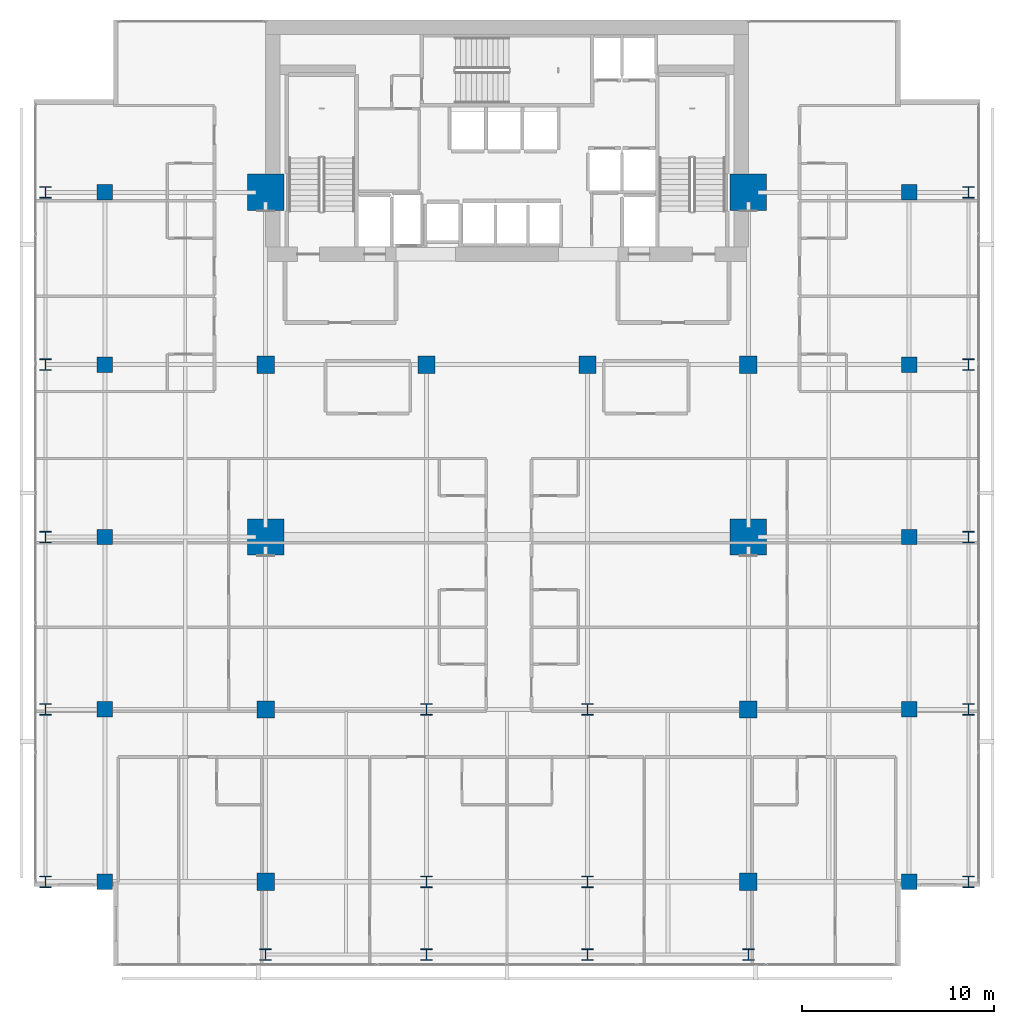
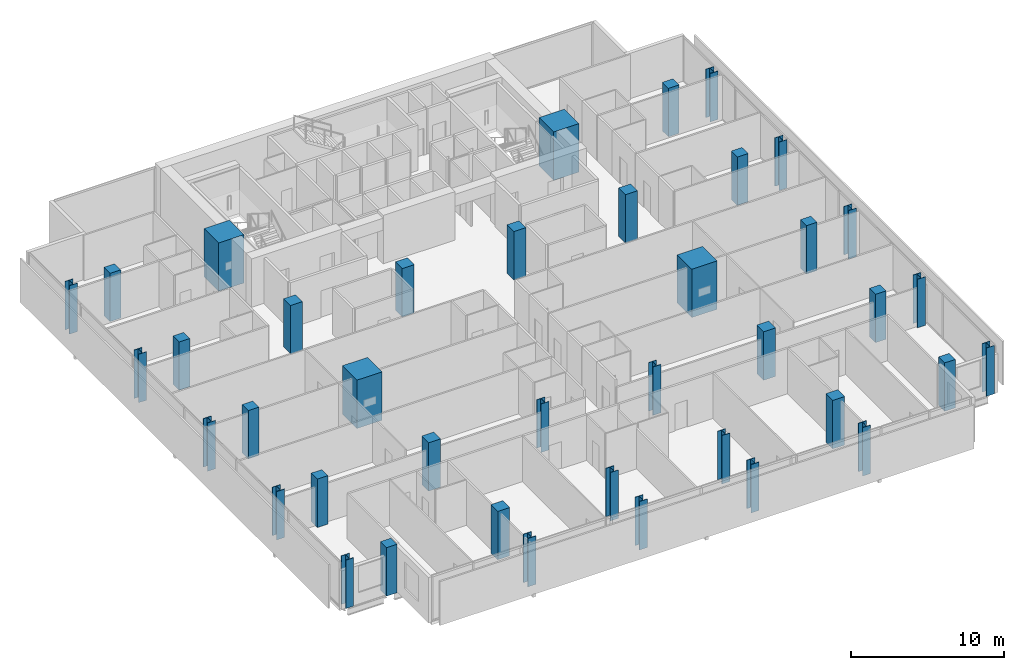
# One storey, part 1 of 34: 40 columns.
"""IFC4 building model written with IfcOpenShell, lengths in metres."""

from ifc_helpers import new_model, si_unit, direction, frame, origin, origin_2d, place, context, subcontext, project, spatial, rectangle, i_section, extrude, material, material_profile, profile_set, type_object, element, save


model = new_model("IFC4")

# Units and contexts
model_context = context("Model", 3, precision=1e-05, world=origin(), true_north=direction((0.0, 1.0)))
body_context = subcontext(model_context, "Body", "Model", "MODEL_VIEW")
ifc_project = project(units=[si_unit("LENGTHUNIT", "METRE"), si_unit("AREAUNIT", "SQUARE_METRE"), si_unit("VOLUMEUNIT", "CUBIC_METRE"), si_unit("PLANEANGLEUNIT", "RADIAN"), si_unit("MASSUNIT", "GRAM", prefix="KILO")], contexts=[model_context])

# Site, building, storey
site_placement = place(None, origin())
site = spatial("IfcSite", under=ifc_project, at=site_placement, CompositionType="ELEMENT")
building_placement = place(site_placement, origin())
building = spatial("IfcBuilding", under=site, at=building_placement, Name="Maruvema Waterfront Hotel and Observation Tower", CompositionType="ELEMENT")
storey_placement = place(building_placement, frame((0.0, 0.0, 212.10009765625)))
storey = spatial("IfcBuildingStorey", under=building, at=storey_placement, Name="L52", CompositionType="ELEMENT", Elevation=212.10009765625)

# Columns
ifc_material_1 = material(Name="Concrete C80/95", Category="concrete")
ifc_material_profile_1 = material_profile(ifc_material_1, rectangle(XDim=1.89990234375, YDim=1.89990234375, at=origin_2d()), Name="MC1900x1900")
ifc_profile_set_1 = profile_set([ifc_material_profile_1], Name="Concrete C80/95")
column_type_1 = type_object("IfcColumnType", Name="Continuous Mega-Column MC1900x1900", PredefinedType="COLUMN", material=ifc_profile_set_1)
for number, where, z_axis, x_axis, name in (
    (1, (25.199951171875, 27.0, 0.0), (0.0, 0.0, 1.0), (1.0, 0.0, 0.0), "L52 Continuous Mega-Column MC-01"),
    (2, (50.39990234375, 27.0, 0.0), (0.0, 0.0, 1.0), (1.0, 0.0, 0.0), "L52 Continuous Mega-Column MC-02"),
    (3, (25.199951171875, 45.0, 0.0), (0.0, 0.0, 1.0), (1.0, 0.0, 0.0), "L52 Continuous Mega-Column MC-03"),
    (4, (50.39990234375, 45.0, 0.0), (0.0, 0.0, 1.0), (1.0, 0.0, 0.0), "L52 Continuous Mega-Column MC-04"),
):
    element("IfcColumn", number, at=place(storey_placement, frame(where, z_axis=z_axis, x_axis=x_axis)), inside=storey, type_object=column_type_1, Name=name, PredefinedType="COLUMN", context=body_context, shape_type="SweptSolid", body=[
        extrude(rectangle(XDim=1.89990234375, YDim=1.89990234375, at=origin_2d()), origin(), (0.0, 0.0, 1.0), 3.849853515625),
    ])
ifc_material_2 = material(Name="Concrete C60/75", Category="concrete")
ifc_material_profile_2 = material_profile(ifc_material_2, rectangle(XDim=0.800048828125, YDim=0.800048828125, at=origin_2d()), Name="RC800x800")
ifc_profile_set_2 = profile_set([ifc_material_profile_2], Name="Concrete C60/75")
column_type_2 = type_object("IfcColumnType", Name="Reinforced Concrete Column RC800x800", PredefinedType="COLUMN", material=ifc_profile_set_2)
for number, where, z_axis, x_axis, name in (
    (5, (16.800048828125, 9.0, 0.0), (0.0, 0.0, 1.0), (1.0, 0.0, 0.0), "L52 Column C-3Y9"),
    (6, (58.800048828125, 9.0, 0.0), (0.0, 0.0, 1.0), (1.0, 0.0, 0.0), "L52 Column C-8Y9"),
    (7, (16.800048828125, 18.0, 0.0), (0.0, 0.0, 1.0), (1.0, 0.0, 0.0), "L52 Column C-3Y18"),
    (8, (58.800048828125, 18.0, 0.0), (0.0, 0.0, 1.0), (1.0, 0.0, 0.0), "L52 Column C-8Y18"),
    (9, (16.800048828125, 27.0, 0.0), (0.0, 0.0, 1.0), (1.0, 0.0, 0.0), "L52 Column C-3Y27"),
    (10, (58.800048828125, 27.0, 0.0), (0.0, 0.0, 1.0), (1.0, 0.0, 0.0), "L52 Column C-8Y27"),
    (11, (16.800048828125, 36.0, 0.0), (0.0, 0.0, 1.0), (1.0, 0.0, 0.0), "L52 Column C-3Y36"),
    (12, (58.800048828125, 36.0, 0.0), (0.0, 0.0, 1.0), (1.0, 0.0, 0.0), "L52 Column C-8Y36"),
    (13, (16.800048828125, 45.0, 0.0), (0.0, 0.0, 1.0), (1.0, 0.0, 0.0), "L52 Column C-3Y45"),
    (14, (58.800048828125, 45.0, 0.0), (0.0, 0.0, 1.0), (1.0, 0.0, 0.0), "L52 Column C-8Y45"),
):
    element("IfcColumn", number, at=place(storey_placement, frame(where, z_axis=z_axis, x_axis=x_axis)), inside=storey, type_object=column_type_2, Name=name, PredefinedType="COLUMN", context=body_context, shape_type="SweptSolid", body=[
        extrude(rectangle(XDim=0.800048828125, YDim=0.800048828125, at=origin_2d()), origin(), (0.0, 0.0, 1.0), 3.849853515625),
    ])
ifc_material_3 = material(Name="Concrete C60/75", Category="concrete")
ifc_material_profile_3 = material_profile(ifc_material_3, rectangle(XDim=0.89990234375, YDim=0.89990234375, at=origin_2d()), Name="RC900x900")
ifc_profile_set_3 = profile_set([ifc_material_profile_3], Name="Concrete C60/75")
column_type_3 = type_object("IfcColumnType", Name="Reinforced Concrete Column RC900x900", PredefinedType="COLUMN", material=ifc_profile_set_3)
for number, where, z_axis, x_axis, name in (
    (15, (25.199951171875, 36.0, 0.0), (0.0, 0.0, 1.0), (1.0, 0.0, 0.0), "L52 Column C-4E"),
    (16, (33.60009765625, 36.0, 0.0), (0.0, 0.0, 1.0), (1.0, 0.0, 0.0), "L52 Column C-5E"),
    (17, (42.0, 36.0, 0.0), (0.0, 0.0, 1.0), (1.0, 0.0, 0.0), "L52 Column C-6E"),
    (18, (50.39990234375, 36.0, 0.0), (0.0, 0.0, 1.0), (1.0, 0.0, 0.0), "L52 Column C-7E"),
    (19, (25.199951171875, 18.0, 0.0), (0.0, 0.0, 1.0), (1.0, 0.0, 0.0), "L52 Column C-4C"),
    (20, (50.39990234375, 18.0, 0.0), (0.0, 0.0, 1.0), (1.0, 0.0, 0.0), "L52 Column C-7C"),
    (21, (25.199951171875, 9.0, 0.0), (0.0, 0.0, 1.0), (1.0, 0.0, 0.0), "L52 Column C-4B"),
    (22, (50.39990234375, 9.0, 0.0), (0.0, 0.0, 1.0), (1.0, 0.0, 0.0), "L52 Column C-7B"),
):
    element("IfcColumn", number, at=place(storey_placement, frame(where, z_axis=z_axis, x_axis=x_axis)), inside=storey, type_object=column_type_3, Name=name, PredefinedType="COLUMN", context=body_context, shape_type="SweptSolid", body=[
        extrude(rectangle(XDim=0.89990234375, YDim=0.89990234375, at=origin_2d()), origin(), (0.0, 0.0, 1.0), 3.849853515625),
    ])
ifc_material_4 = material(Name="Steel ABNT NBR 7007 AR 415 (ASTM A572 Grade 50)", Category="steel")
ifc_material_profile_4 = material_profile(ifc_material_4, i_section(OverallWidth=0.60009765625, OverallDepth=0.60009765625, WebThickness=0.02490234375, FlangeThickness=0.0380859375, at=origin_2d()), Name="CVS600x317")
ifc_profile_set_4 = profile_set([ifc_material_profile_4], Name="Steel ABNT NBR 7007 AR 415 (ASTM A572 Grade 50)")
column_type_4 = type_object("IfcColumnType", Name="Structural Steel Column CVS600x317", PredefinedType="COLUMN", material=ifc_profile_set_4)
for number, where, z_axis, x_axis, name in (
    (23, (33.60009765625, 9.0, 0.0), (0.0, 0.0, 1.0), (1.0, 0.0, 0.0), "L52 Column C-5B"),
    (24, (42.0, 9.0, 0.0), (0.0, 0.0, 1.0), (1.0, 0.0, 0.0), "L52 Column C-6B"),
    (25, (33.60009765625, 18.0, 0.0), (0.0, 0.0, 1.0), (1.0, 0.0, 0.0), "L52 Column C-5C"),
    (26, (42.0, 18.0, 0.0), (0.0, 0.0, 1.0), (1.0, 0.0, 0.0), "L52 Column C-6C"),
    (27, (13.699951171875, 9.0, 0.0), (0.0, 0.0, 1.0), (1.0, 0.0, 0.0), "L52 Column C-Z2W9"),
    (28, (61.89990234375, 9.0, 0.0), (0.0, 0.0, 1.0), (1.0, 0.0, 0.0), "L52 Column C-Z2E9"),
    (29, (13.699951171875, 18.0, 0.0), (0.0, 0.0, 1.0), (1.0, 0.0, 0.0), "L52 Column C-Z2W18"),
    (30, (61.89990234375, 18.0, 0.0), (0.0, 0.0, 1.0), (1.0, 0.0, 0.0), "L52 Column C-Z2E18"),
    (31, (13.699951171875, 27.0, 0.0), (0.0, 0.0, 1.0), (1.0, 0.0, 0.0), "L52 Column C-Z2W27"),
    (32, (61.89990234375, 27.0, 0.0), (0.0, 0.0, 1.0), (1.0, 0.0, 0.0), "L52 Column C-Z2E27"),
    (33, (13.699951171875, 36.0, 0.0), (0.0, 0.0, 1.0), (1.0, 0.0, 0.0), "L52 Column C-Z2W36"),
    (34, (61.89990234375, 36.0, 0.0), (0.0, 0.0, 1.0), (1.0, 0.0, 0.0), "L52 Column C-Z2E36"),
    (35, (13.699951171875, 45.0, 0.0), (0.0, 0.0, 1.0), (1.0, 0.0, 0.0), "L52 Column C-Z2W45"),
    (36, (61.89990234375, 45.0, 0.0), (0.0, 0.0, 1.0), (1.0, 0.0, 0.0), "L52 Column C-Z2E45"),
    (37, (25.199951171875, 5.199951171875, 0.0), (0.0, 0.0, 1.0), (1.0, 0.0, 0.0), "L52 Column C-Z2S4"),
    (38, (33.60009765625, 5.199951171875, 0.0), (0.0, 0.0, 1.0), (1.0, 0.0, 0.0), "L52 Column C-Z2S5"),
    (39, (42.0, 5.199951171875, 0.0), (0.0, 0.0, 1.0), (1.0, 0.0, 0.0), "L52 Column C-Z2S6"),
    (40, (50.39990234375, 5.199951171875, 0.0), (0.0, 0.0, 1.0), (1.0, 0.0, 0.0), "L52 Column C-Z2S7"),
):
    element("IfcColumn", number, at=place(storey_placement, frame(where, z_axis=z_axis, x_axis=x_axis)), inside=storey, type_object=column_type_4, Name=name, PredefinedType="COLUMN", context=body_context, shape_type="SweptSolid", body=[
        extrude(i_section(OverallWidth=0.60009765625, OverallDepth=0.60009765625, WebThickness=0.02490234375, FlangeThickness=0.0380859375, at=origin_2d()), origin(), (0.0, 0.0, 1.0), 3.849853515625),
    ])

save(model, "model.ifc")
